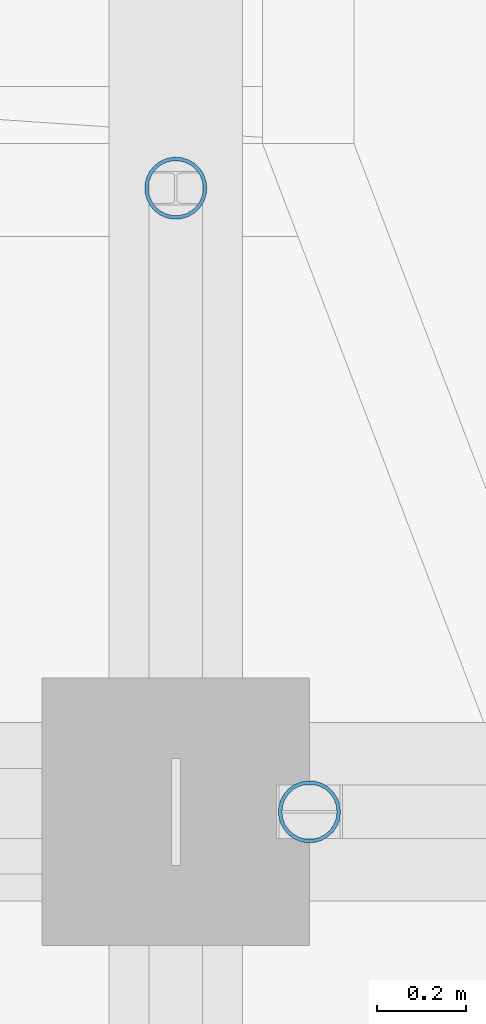
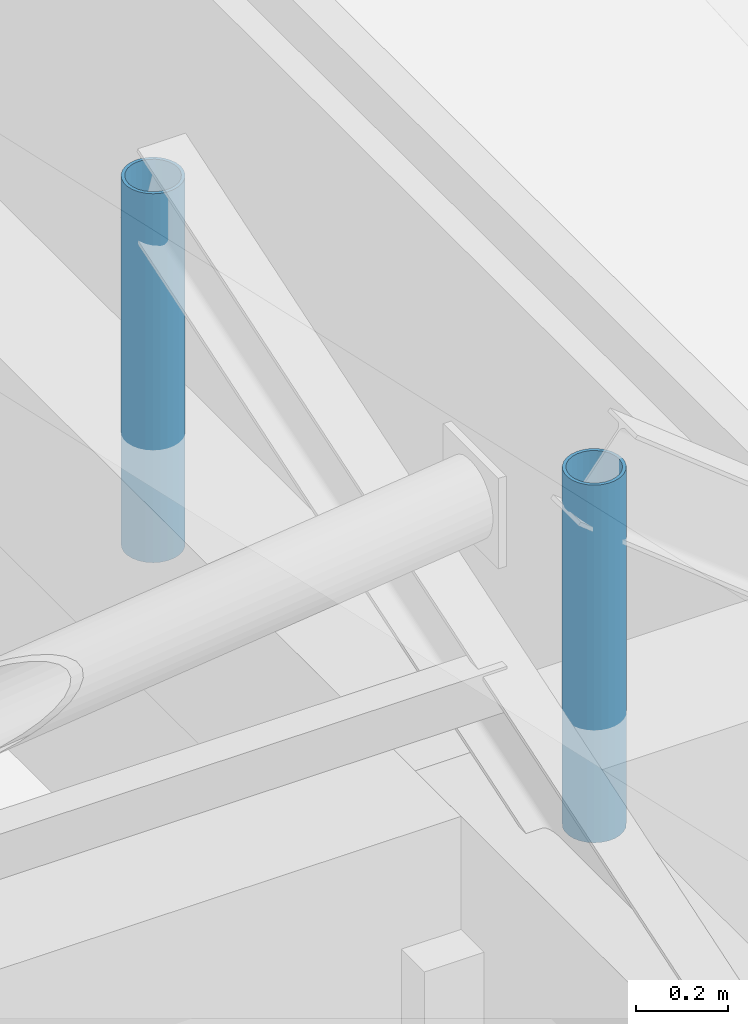
# One storey, part 27 of 39: 2 members.
"""IFC4 building model written with IfcOpenShell, lengths in metres."""

from ifc_helpers import new_model, si_unit, direction, frame, origin, origin_2d, place, context, subcontext, project, spatial, hollow_circle, extrude, material, material_profile, profile_set, type_object, element, save


model = new_model("IFC4")

# Units and contexts
model_context = context("Model", 3, precision=1e-05, world=origin(), true_north=direction((0.0, 1.0)))
body_context = subcontext(model_context, "Body", "Model", "MODEL_VIEW")
ifc_project = project(units=[si_unit("LENGTHUNIT", "METRE"), si_unit("AREAUNIT", "SQUARE_METRE"), si_unit("VOLUMEUNIT", "CUBIC_METRE"), si_unit("PLANEANGLEUNIT", "RADIAN"), si_unit("MASSUNIT", "GRAM", prefix="KILO")], contexts=[model_context])

# Site, building, storey
site_placement = place(None, origin())
site = spatial("IfcSite", under=ifc_project, at=site_placement, CompositionType="ELEMENT")
building_placement = place(site_placement, origin())
building = spatial("IfcBuilding", under=site, at=building_placement, Name="Akrevak Sports Hall", CompositionType="ELEMENT")
storey_placement = place(building_placement, frame((0.0, 0.0, 66.550048828125)))
storey = spatial("IfcBuildingStorey", under=building, at=storey_placement, Name="L17", CompositionType="ELEMENT", Elevation=66.550048828125)

# Members
ifc_material = material(Name="Steel S355", Category="steel")
ifc_material_profile = material_profile(ifc_material, hollow_circle(Radius=0.06982421875, WallThickness=0.008056640625, at=origin_2d()), Name="CHS 139.7x8", Category="steel")
ifc_profile_set = profile_set([ifc_material_profile], Name="Steel S355")
member_type = type_object("IfcMemberType", Name="STR-MEM-BRACE-CHS139", PredefinedType="BRACE", material=ifc_profile_set)
member_1_placement = place(storey_placement, frame((100.0, 43.39990234375, 2.949951171875), z_axis=(0.0, 0.0, 1.0), x_axis=(1.0, 0.0, 0.0)))
element("IfcMember", 1, at=member_1_placement, inside=storey, type_object=member_type, Name="Mansard Knee Post MANS-E-S-100", PredefinedType="BRACE", context=body_context, shape_type="SweptSolid", body=[
    extrude(hollow_circle(Radius=0.06982421875, WallThickness=0.008056640625, at=origin_2d()), origin(), (0.0, 0.0, 1.0), 0.97998046875),
])
member_2_placement = place(storey_placement, frame((100.300048828125, 42.0, 2.949951171875), z_axis=(0.0, 0.0, 1.0), x_axis=(1.0, 0.0, 0.0)))
element("IfcMember", 2, at=member_2_placement, inside=storey, type_object=member_type, Name="Mansard Knee Post MANS-E-E-42", PredefinedType="BRACE", context=body_context, shape_type="SweptSolid", body=[
    extrude(hollow_circle(Radius=0.06982421875, WallThickness=0.008056640625, at=origin_2d()), origin(), (0.0, 0.0, 1.0), 0.949951171875),
])

save(model, "model.ifc")
